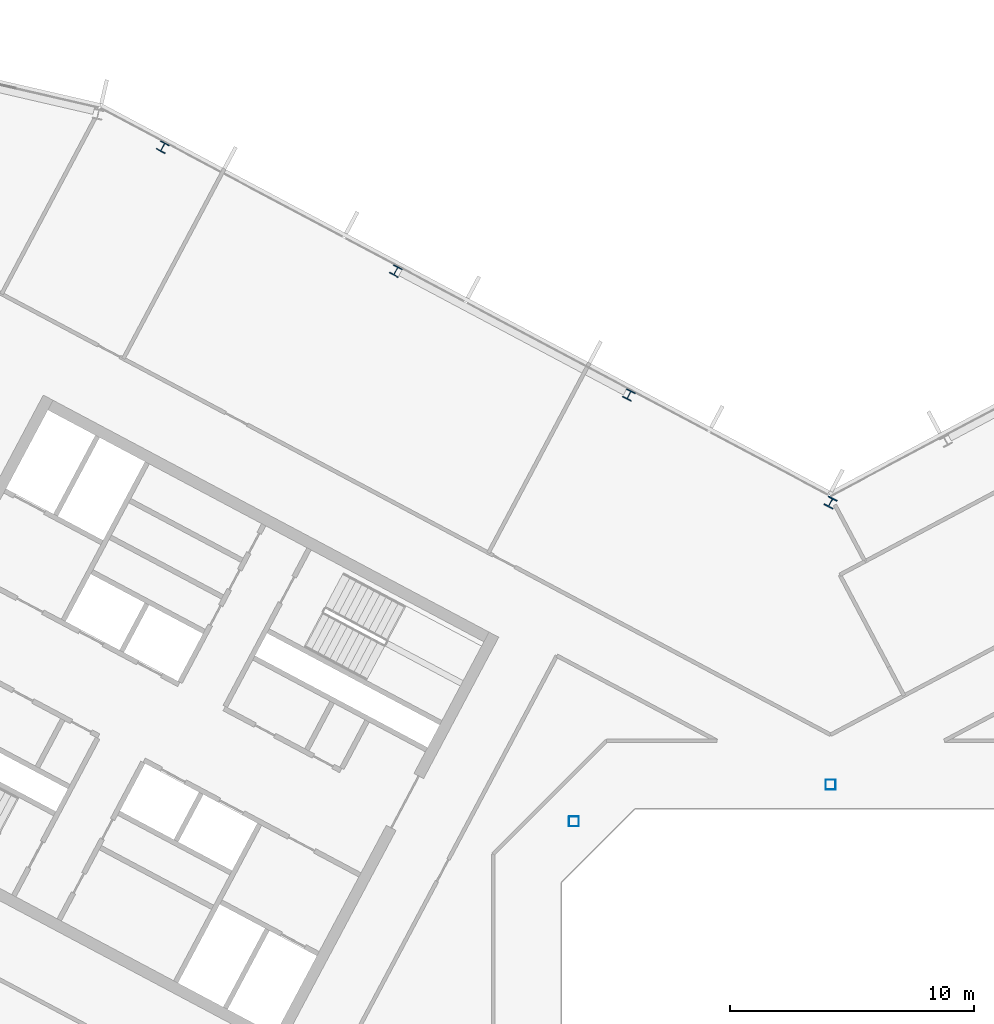
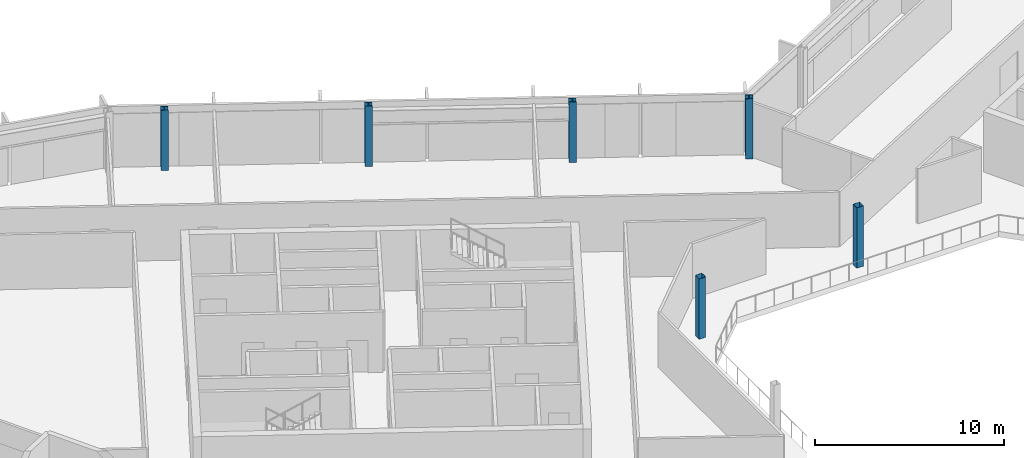
# One storey, part 4 of 26: 6 columns.
"""IFC4 building model written with IfcOpenShell, lengths in metres."""

from ifc_helpers import new_model, si_unit, direction, frame, origin, origin_2d, place, context, subcontext, project, spatial, hollow_rectangle, i_section, extrude, material, material_profile, profile_set, type_object, element, save


model = new_model("IFC4")

# Units and contexts
model_context = context("Model", 3, precision=1e-05, world=origin(), true_north=direction((0.0, 1.0)))
body_context = subcontext(model_context, "Body", "Model", "MODEL_VIEW")
ifc_project = project(units=[si_unit("LENGTHUNIT", "METRE"), si_unit("AREAUNIT", "SQUARE_METRE"), si_unit("VOLUMEUNIT", "CUBIC_METRE"), si_unit("PLANEANGLEUNIT", "RADIAN"), si_unit("MASSUNIT", "GRAM", prefix="KILO")], contexts=[model_context])

# Site, building, storey
site_placement = place(None, origin())
site = spatial("IfcSite", under=ifc_project, at=site_placement, CompositionType="ELEMENT")
building_placement = place(site_placement, origin())
building = spatial("IfcBuilding", under=site, at=building_placement, Name="Cormorant Relay Tower", CompositionType="ELEMENT")
storey_placement = place(building_placement, frame((0.0, 0.0, 300.89990234375)))
storey = spatial("IfcBuildingStorey", under=building, at=storey_placement, Name="L68", CompositionType="ELEMENT", Elevation=300.89990234375)

# Columns
ifc_material_1 = material(Name="Steel ASTM A500 Grade C (Fy 345 MPa)", Category="steel")
ifc_material_profile_1 = material_profile(ifc_material_1, hollow_rectangle(XDim=0.406494140625, YDim=0.406494140625, WallThickness=0.0087890625, InnerFilletRadius=0.00439453125, OuterFilletRadius=0.01318359375, at=origin_2d()), Name="HSS406x406x9")
ifc_profile_set_1 = profile_set([ifc_material_profile_1], Name="Steel ASTM A500 Grade C (Fy 345 MPa)")
column_type_1 = type_object("IfcColumnType", Name="Column HSS406x406x9", PredefinedType="COLUMN", material=ifc_profile_set_1)
for number, where, z_axis, x_axis, name in (
    (1, (-10.5, 10.5, 0.0), (0.0, 0.0, 1.0), (1.0, 0.0, 0.0), "Column L68-023"),
    (2, (0.0, 12.0, 0.0), (0.0, 0.0, 1.0), (1.0, 0.0, 0.0), "Column L68-025"),
):
    element("IfcColumn", number, at=place(storey_placement, frame(where, z_axis=z_axis, x_axis=x_axis)), inside=storey, type_object=column_type_1, Name=name, PredefinedType="COLUMN", context=body_context, shape_type="SweptSolid", body=[
        extrude(hollow_rectangle(XDim=0.406494140625, YDim=0.406494140625, WallThickness=0.0087890625, InnerFilletRadius=0.00439453125, OuterFilletRadius=0.01318359375, at=origin_2d()), origin(), (0.0, 0.0, 1.0), 3.900146484375),
    ])
ifc_material_2 = material(Name="Steel ASTM A992 (Fy 345 MPa)", Category="steel")
ifc_material_profile_2 = material_profile(ifc_material_2, i_section(OverallWidth=0.398681640625, OverallDepth=0.385986328125, WebThickness=0.02099609375, FlangeThickness=0.033203125, FilletRadius=0.01513671875, at=origin_2d()), Name="W360x262")
ifc_profile_set_2 = profile_set([ifc_material_profile_2], Name="Steel ASTM A992 (Fy 345 MPa)")
column_type_2 = type_object("IfcColumnType", Name="Column W360x262", PredefinedType="COLUMN", material=ifc_profile_set_2)
for number, where, z_axis, x_axis, name in (
    (3, (-8.2470703125, 27.943115234375, 0.0), (0.0, 0.0, 1.0), (-0.882947592859, 0.469471562786, 0.0), "Column L68-032"),
    (4, (-17.782958984375, 33.012939453125, 0.0), (0.0, 0.0, 1.0), (-0.882947592859, 0.469471562786, 0.0), "Column L68-036"),
    (5, (-27.319091796875, 38.0830078125, 0.0), (0.0, 0.0, 1.0), (-0.882947592859, 0.469471562786, 0.0), "Column L68-040"),
):
    element("IfcColumn", number, at=place(storey_placement, frame(where, z_axis=z_axis, x_axis=x_axis)), inside=storey, type_object=column_type_2, Name=name, PredefinedType="COLUMN", context=body_context, shape_type="SweptSolid", body=[
        extrude(i_section(OverallWidth=0.398681640625, OverallDepth=0.385986328125, WebThickness=0.02099609375, FlangeThickness=0.033203125, FilletRadius=0.01513671875, at=origin_2d()), origin(), (0.0, 0.0, 1.0), 3.900146484375),
    ])
ifc_material_3 = material(Name="Steel ASTM A992 (Fy 345 MPa)", Category="steel")
ifc_material_profile_3 = material_profile(ifc_material_3, i_section(OverallWidth=0.40380859375, OverallDepth=0.406494140625, WebThickness=0.027099609375, FlangeThickness=0.043701171875, FilletRadius=0.01513671875, at=origin_2d()), Name="W360x347")
ifc_profile_set_3 = profile_set([ifc_material_profile_3], Name="Steel ASTM A992 (Fy 345 MPa)")
column_type_3 = type_object("IfcColumnType", Name="Column W360x347", PredefinedType="COLUMN", material=ifc_profile_set_3)
column_placement = place(storey_placement, frame((0.0, 23.5439453125, 0.0), z_axis=(0.0, 0.0, 1.0), x_axis=(-0.882947592859, 0.469471562786, 0.0)))
element("IfcColumn", 6, at=column_placement, inside=storey, type_object=column_type_3, Name="Column L68-029", PredefinedType="COLUMN", context=body_context, shape_type="SweptSolid", body=[
    extrude(i_section(OverallWidth=0.40380859375, OverallDepth=0.406494140625, WebThickness=0.027099609375, FlangeThickness=0.043701171875, FilletRadius=0.01513671875, at=origin_2d()), origin(), (0.0, 0.0, 1.0), 3.900146484375),
])

save(model, "model.ifc")
